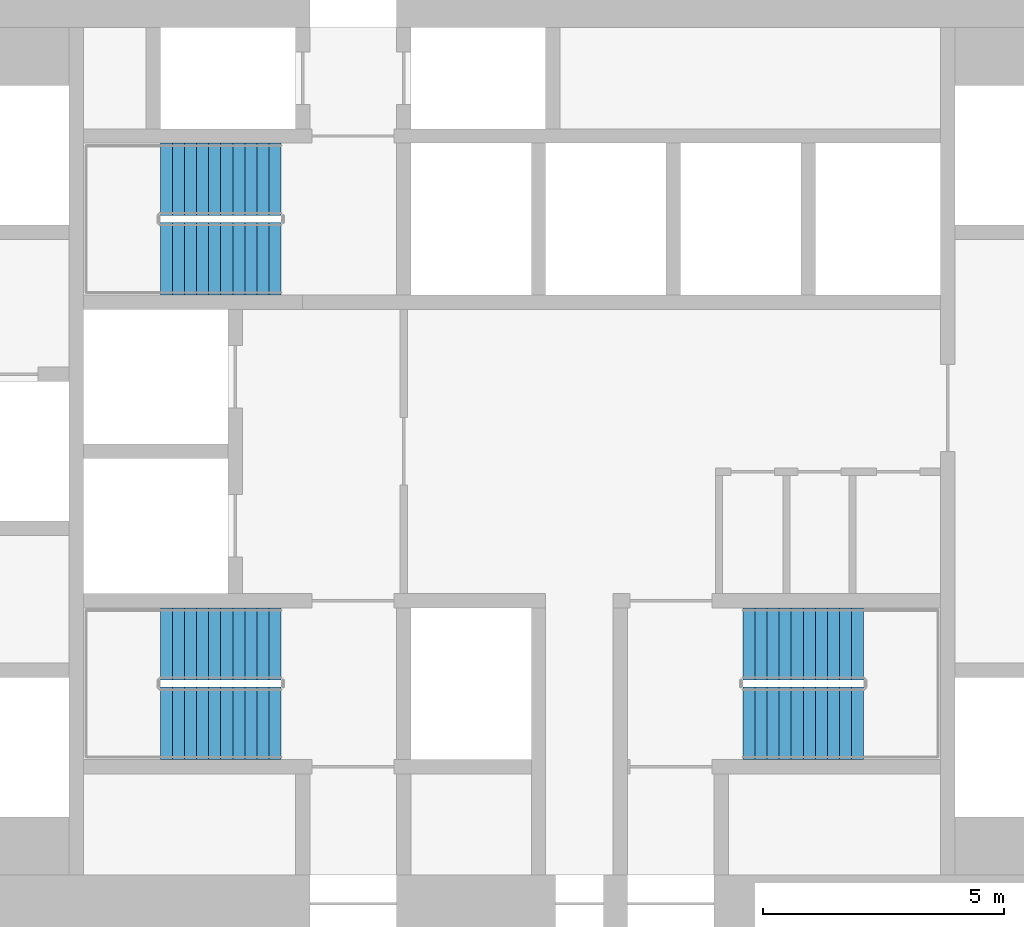
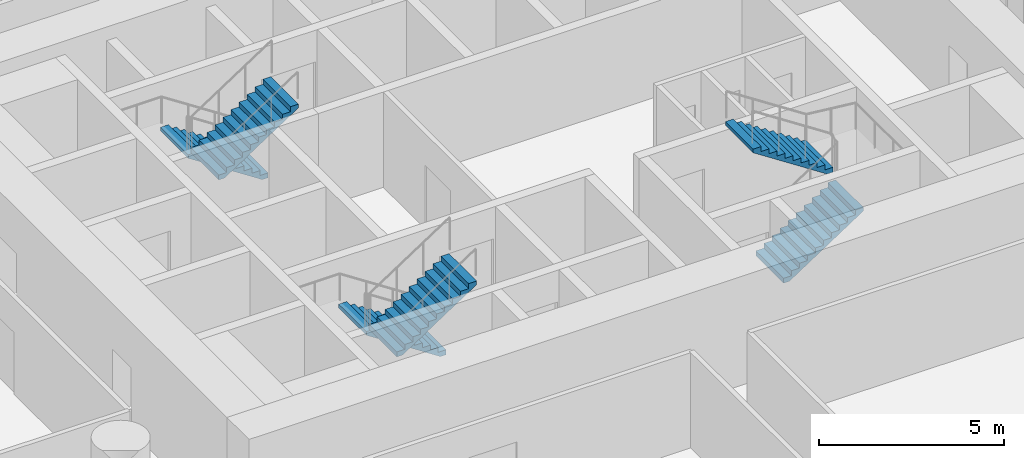
# One storey, part 10 of 11: 6 stair flights, 3 elements without a shape of their own.
"""IFC4 building model written with IfcOpenShell, lengths in metres."""

from ifc_helpers import new_model, si_unit, direction, frame, origin, place, context, subcontext, project, spatial, polyline, outline, extrude, material, type_object, element, aggregate, save


model = new_model("IFC4")

# Units and contexts
model_context = context("Model", 3, precision=1e-05, world=origin(), true_north=direction((0.0, 1.0)))
body_context = subcontext(model_context, "Body", "Model", "MODEL_VIEW")
ifc_project = project(units=[si_unit("LENGTHUNIT", "METRE"), si_unit("AREAUNIT", "SQUARE_METRE"), si_unit("VOLUMEUNIT", "CUBIC_METRE"), si_unit("PLANEANGLEUNIT", "RADIAN"), si_unit("MASSUNIT", "GRAM", prefix="KILO")], contexts=[model_context])

# Site, building, storey
site_placement = place(None, origin())
site = spatial("IfcSite", under=ifc_project, at=site_placement, CompositionType="ELEMENT")
building_placement = place(site_placement, origin())
building = spatial("IfcBuilding", under=site, at=building_placement, Name="Tracery Tower", CompositionType="ELEMENT")
storey_placement = place(building_placement, frame((0.0, 0.0, 60.60009765625)))
storey = spatial("IfcBuildingStorey", under=building, at=storey_placement, Name="L14", CompositionType="ELEMENT", Elevation=60.60009765625)

# Stair, stair flights
ifc_material_1 = material(Name="Concrete C32/40", Category="concrete")
stair_type = type_object("IfcStairType", Name="Core stair 22 risers", PredefinedType="HALF_TURN_STAIR", material=ifc_material_1)
stair_1_placement = place(storey_placement, origin())
stair_1 = element("IfcStair", 1, at=stair_1_placement, inside=storey, type_object=stair_type, Name="L14 stair ST1", PredefinedType="HALF_TURN_STAIR")
ifc_material_2 = material(Name="Concrete C32/40", Category="concrete")
stair_flight_type = type_object("IfcStairFlightType", Name="Core stair flight 11 risers", PredefinedType="STRAIGHT", material=ifc_material_2)
stair_flight_1_placement = place(storey_placement, frame((-4.800048828125, -4.0, 0.0), z_axis=(0.0, 0.0, 1.0), x_axis=(-1.0, 0.0, 0.0)))
stair_flight_1 = element("IfcStairFlight", 2, at=stair_flight_1_placement, type_object=stair_flight_type, Name="ST1 flight 1", NumberOfRisers=11, NumberOfTreads=10, PredefinedType="STRAIGHT", RiserHeight=0.163636364, TreadLength=0.25, context=body_context, shape_type="SweptSolid", body=[
    extrude(outline(polyline([(0.0, 0.0), (0.0, 0.002685546875), (0.0, 0.00537109375), (0.0, 0.008056640625), (0.0, 0.0107421875), (0.0, 0.013427734375), (0.0, 0.01611328125), (0.0, 0.018798828125), (0.0, 0.021484375), (0.0, 0.024169921875), (0.0, 0.02685546875), (0.0, 0.029541015625), (0.0, 0.0322265625), (0.0, 0.034912109375), (0.0, 0.03759765625), (0.0, 0.040283203125), (0.0, 0.04296875), (0.0, 0.045654296875), (0.0, 0.04833984375), (0.0, 0.051025390625), (0.0, 0.0537109375), (0.0, 0.056396484375), (0.0, 0.05908203125), (0.0, 0.061767578125), (0.0, 0.064453125), (0.0, 0.067138671875), (0.0, 0.06982421875), (0.0, 0.072509765625), (0.0, 0.0751953125), (0.0, 0.077880859375), (0.0, 0.08056640625), (0.0, 0.083251953125), (0.0, 0.0859375), (0.0, 0.088623046875), (0.0, 0.09130859375), (0.0, 0.093994140625), (0.0, 0.0966796875), (0.0, 0.099365234375), (0.0, 0.10205078125), (0.0, 0.104736328125), (0.0, 0.107421875), (0.0, 0.10986328125), (0.0, 0.112548828125), (0.0, 0.115234375), (0.0, 0.117919921875), (0.0, 0.12060546875), (0.0, 0.123291015625), (0.0, 0.1259765625), (0.0, 0.128662109375), (0.0, 0.13134765625), (0.0, 0.134033203125), (0.0, 0.13671875), (0.0, 0.139404296875), (0.0, 0.14208984375), (0.0, 0.144775390625), (0.0, 0.1474609375), (0.0, 0.150146484375), (0.0, 0.15283203125), (0.0, 0.155517578125), (0.0, 0.158203125), (0.0, 0.160888671875), (0.0, 0.16357421875), (0.25, 0.16357421875), (0.25, 0.327392578125), (0.5, 0.327392578125), (0.5, 0.490966796875), (0.75, 0.490966796875), (0.75, 0.654541015625), (1.0, 0.654541015625), (1.0, 0.818115234375), (1.25, 0.818115234375), (1.25, 0.98193359375), (1.5, 0.98193359375), (1.5, 1.1455078125), (1.75, 1.1455078125), (1.75, 1.30908203125), (2.0, 1.30908203125), (2.0, 1.47265625), (2.25, 1.47265625), (2.25, 1.636474609375), (2.5, 1.636474609375), (2.5, 1.634521484375), (2.5, 1.63232421875), (2.5, 1.63037109375), (2.5, 1.62841796875), (2.5, 1.62646484375), (2.5, 1.62451171875), (2.5, 1.62255859375), (2.5, 1.62060546875), (2.5, 1.61865234375), (2.5, 1.61669921875), (2.5, 1.61474609375), (2.5, 1.61279296875), (2.5, 1.61083984375), (2.5, 1.60888671875), (2.5, 1.60693359375), (2.5, 1.60498046875), (2.5, 1.60302734375), (2.5, 1.60107421875), (2.5, 1.59912109375), (2.5, 1.59716796875), (2.5, 1.59521484375), (2.5, 1.59326171875), (2.5, 1.59130859375), (2.5, 1.58935546875), (2.5, 1.58740234375), (2.5, 1.58544921875), (2.5, 1.58349609375), (2.5, 1.58154296875), (2.5, 1.57958984375), (2.5, 1.57763671875), (2.5, 1.57568359375), (2.5, 1.573486328125), (2.5, 1.571533203125), (2.5, 1.569580078125), (2.5, 1.567626953125), (2.5, 1.565673828125), (2.5, 1.563720703125), (2.5, 1.561767578125), (2.5, 1.559814453125), (2.5, 1.557861328125), (2.5, 1.555908203125), (2.5, 1.553955078125), (2.5, 1.552001953125), (2.5, 1.550048828125), (2.5, 1.548095703125), (2.5, 1.546142578125), (2.5, 1.544189453125), (2.5, 1.542236328125), (2.5, 1.540283203125), (2.5, 1.538330078125), (2.5, 1.536376953125), (2.5, 1.534423828125), (2.5, 1.532470703125), (2.5, 1.530517578125), (2.5, 1.528564453125), (2.5, 1.526611328125), (2.5, 1.524658203125), (2.5, 1.522705078125), (2.5, 1.520751953125), (2.5, 1.518798828125), (2.5, 1.516845703125), (0.182861328125, 0.0), (0.0, 0.0)])), frame((0.0, 0.75, 0.0), z_axis=(0.0, -1.0, 0.0), x_axis=(1.0, 0.0, 0.0)), (0.0, 0.0, 1.0), 1.5),
])
stair_flight_2_placement = place(storey_placement, frame((-7.300048828125, -5.64990234375, 1.7998046875), z_axis=(0.0, 0.0, 1.0), x_axis=(1.0, 0.0, 0.0)))
stair_flight_2 = element("IfcStairFlight", 3, at=stair_flight_2_placement, type_object=stair_flight_type, Name="ST1 flight 2", NumberOfRisers=11, NumberOfTreads=10, PredefinedType="STRAIGHT", RiserHeight=0.163636364, TreadLength=0.25, context=body_context, shape_type="SweptSolid", body=[
    extrude(outline(polyline([(0.0, 0.0), (0.0, 0.002685546875), (0.0, 0.00537109375), (0.0, 0.008056640625), (0.0, 0.0107421875), (0.0, 0.013427734375), (0.0, 0.01611328125), (0.0, 0.018798828125), (0.0, 0.021484375), (0.0, 0.024169921875), (0.0, 0.02685546875), (0.0, 0.029541015625), (0.0, 0.0322265625), (0.0, 0.034912109375), (0.0, 0.03759765625), (0.0, 0.040283203125), (0.0, 0.04296875), (0.0, 0.045654296875), (0.0, 0.04833984375), (0.0, 0.051025390625), (0.0, 0.0537109375), (0.0, 0.056396484375), (0.0, 0.05908203125), (0.0, 0.061767578125), (0.0, 0.064453125), (0.0, 0.067138671875), (0.0, 0.06982421875), (0.0, 0.072509765625), (0.0, 0.0751953125), (0.0, 0.077880859375), (0.0, 0.08056640625), (0.0, 0.083251953125), (0.0, 0.0859375), (0.0, 0.088623046875), (0.0, 0.09130859375), (0.0, 0.093994140625), (0.0, 0.0966796875), (0.0, 0.099365234375), (0.0, 0.10205078125), (0.0, 0.104736328125), (0.0, 0.107421875), (0.0, 0.10986328125), (0.0, 0.112548828125), (0.0, 0.115234375), (0.0, 0.117919921875), (0.0, 0.12060546875), (0.0, 0.123291015625), (0.0, 0.1259765625), (0.0, 0.128662109375), (0.0, 0.13134765625), (0.0, 0.134033203125), (0.0, 0.13671875), (0.0, 0.139404296875), (0.0, 0.14208984375), (0.0, 0.144775390625), (0.0, 0.1474609375), (0.0, 0.150146484375), (0.0, 0.15283203125), (0.0, 0.155517578125), (0.0, 0.158203125), (0.0, 0.160888671875), (0.0, 0.16357421875), (0.25, 0.16357421875), (0.25, 0.327392578125), (0.5, 0.327392578125), (0.5, 0.490966796875), (0.75, 0.490966796875), (0.75, 0.654541015625), (1.0, 0.654541015625), (1.0, 0.818115234375), (1.25, 0.818115234375), (1.25, 0.98193359375), (1.5, 0.98193359375), (1.5, 1.1455078125), (1.75, 1.1455078125), (1.75, 1.30908203125), (2.0, 1.30908203125), (2.0, 1.47265625), (2.25, 1.47265625), (2.25, 1.636474609375), (2.5, 1.636474609375), (2.5, 1.634521484375), (2.5, 1.63232421875), (2.5, 1.63037109375), (2.5, 1.62841796875), (2.5, 1.62646484375), (2.5, 1.62451171875), (2.5, 1.62255859375), (2.5, 1.62060546875), (2.5, 1.61865234375), (2.5, 1.61669921875), (2.5, 1.61474609375), (2.5, 1.61279296875), (2.5, 1.61083984375), (2.5, 1.60888671875), (2.5, 1.60693359375), (2.5, 1.60498046875), (2.5, 1.60302734375), (2.5, 1.60107421875), (2.5, 1.59912109375), (2.5, 1.59716796875), (2.5, 1.59521484375), (2.5, 1.59326171875), (2.5, 1.59130859375), (2.5, 1.58935546875), (2.5, 1.58740234375), (2.5, 1.58544921875), (2.5, 1.58349609375), (2.5, 1.58154296875), (2.5, 1.57958984375), (2.5, 1.57763671875), (2.5, 1.57568359375), (2.5, 1.573486328125), (2.5, 1.571533203125), (2.5, 1.569580078125), (2.5, 1.567626953125), (2.5, 1.565673828125), (2.5, 1.563720703125), (2.5, 1.561767578125), (2.5, 1.559814453125), (2.5, 1.557861328125), (2.5, 1.555908203125), (2.5, 1.553955078125), (2.5, 1.552001953125), (2.5, 1.550048828125), (2.5, 1.548095703125), (2.5, 1.546142578125), (2.5, 1.544189453125), (2.5, 1.542236328125), (2.5, 1.540283203125), (2.5, 1.538330078125), (2.5, 1.536376953125), (2.5, 1.534423828125), (2.5, 1.532470703125), (2.5, 1.530517578125), (2.5, 1.528564453125), (2.5, 1.526611328125), (2.5, 1.524658203125), (2.5, 1.522705078125), (2.5, 1.520751953125), (2.5, 1.518798828125), (2.5, 1.516845703125), (0.182861328125, 0.0), (0.0, 0.0)])), frame((0.0, 0.75, 0.0), z_axis=(0.0, -1.0, 0.0), x_axis=(1.0, 0.0, 0.0)), (0.0, 0.0, 1.0), 1.5),
])
aggregate(stair_1, [stair_flight_1, stair_flight_2])

stair_2_placement = place(storey_placement, origin())
stair_2 = element("IfcStair", 4, at=stair_2_placement, inside=storey, type_object=stair_type, Name="L14 stair ST3", PredefinedType="HALF_TURN_STAIR")
stair_flight_3_placement = place(storey_placement, frame((-4.800048828125, 5.64990234375, 0.0), z_axis=(0.0, 0.0, 1.0), x_axis=(-1.0, 0.0, 0.0)))
stair_flight_3 = element("IfcStairFlight", 5, at=stair_flight_3_placement, type_object=stair_flight_type, Name="ST3 flight 1", NumberOfRisers=11, NumberOfTreads=10, PredefinedType="STRAIGHT", RiserHeight=0.163636364, TreadLength=0.25, context=body_context, shape_type="SweptSolid", body=[
    extrude(outline(polyline([(0.0, 0.0), (0.0, 0.002685546875), (0.0, 0.00537109375), (0.0, 0.008056640625), (0.0, 0.0107421875), (0.0, 0.013427734375), (0.0, 0.01611328125), (0.0, 0.018798828125), (0.0, 0.021484375), (0.0, 0.024169921875), (0.0, 0.02685546875), (0.0, 0.029541015625), (0.0, 0.0322265625), (0.0, 0.034912109375), (0.0, 0.03759765625), (0.0, 0.040283203125), (0.0, 0.04296875), (0.0, 0.045654296875), (0.0, 0.04833984375), (0.0, 0.051025390625), (0.0, 0.0537109375), (0.0, 0.056396484375), (0.0, 0.05908203125), (0.0, 0.061767578125), (0.0, 0.064453125), (0.0, 0.067138671875), (0.0, 0.06982421875), (0.0, 0.072509765625), (0.0, 0.0751953125), (0.0, 0.077880859375), (0.0, 0.08056640625), (0.0, 0.083251953125), (0.0, 0.0859375), (0.0, 0.088623046875), (0.0, 0.09130859375), (0.0, 0.093994140625), (0.0, 0.0966796875), (0.0, 0.099365234375), (0.0, 0.10205078125), (0.0, 0.104736328125), (0.0, 0.107421875), (0.0, 0.10986328125), (0.0, 0.112548828125), (0.0, 0.115234375), (0.0, 0.117919921875), (0.0, 0.12060546875), (0.0, 0.123291015625), (0.0, 0.1259765625), (0.0, 0.128662109375), (0.0, 0.13134765625), (0.0, 0.134033203125), (0.0, 0.13671875), (0.0, 0.139404296875), (0.0, 0.14208984375), (0.0, 0.144775390625), (0.0, 0.1474609375), (0.0, 0.150146484375), (0.0, 0.15283203125), (0.0, 0.155517578125), (0.0, 0.158203125), (0.0, 0.160888671875), (0.0, 0.16357421875), (0.25, 0.16357421875), (0.25, 0.327392578125), (0.5, 0.327392578125), (0.5, 0.490966796875), (0.75, 0.490966796875), (0.75, 0.654541015625), (1.0, 0.654541015625), (1.0, 0.818115234375), (1.25, 0.818115234375), (1.25, 0.98193359375), (1.5, 0.98193359375), (1.5, 1.1455078125), (1.75, 1.1455078125), (1.75, 1.30908203125), (2.0, 1.30908203125), (2.0, 1.47265625), (2.25, 1.47265625), (2.25, 1.636474609375), (2.5, 1.636474609375), (2.5, 1.634521484375), (2.5, 1.63232421875), (2.5, 1.63037109375), (2.5, 1.62841796875), (2.5, 1.62646484375), (2.5, 1.62451171875), (2.5, 1.62255859375), (2.5, 1.62060546875), (2.5, 1.61865234375), (2.5, 1.61669921875), (2.5, 1.61474609375), (2.5, 1.61279296875), (2.5, 1.61083984375), (2.5, 1.60888671875), (2.5, 1.60693359375), (2.5, 1.60498046875), (2.5, 1.60302734375), (2.5, 1.60107421875), (2.5, 1.59912109375), (2.5, 1.59716796875), (2.5, 1.59521484375), (2.5, 1.59326171875), (2.5, 1.59130859375), (2.5, 1.58935546875), (2.5, 1.58740234375), (2.5, 1.58544921875), (2.5, 1.58349609375), (2.5, 1.58154296875), (2.5, 1.57958984375), (2.5, 1.57763671875), (2.5, 1.57568359375), (2.5, 1.573486328125), (2.5, 1.571533203125), (2.5, 1.569580078125), (2.5, 1.567626953125), (2.5, 1.565673828125), (2.5, 1.563720703125), (2.5, 1.561767578125), (2.5, 1.559814453125), (2.5, 1.557861328125), (2.5, 1.555908203125), (2.5, 1.553955078125), (2.5, 1.552001953125), (2.5, 1.550048828125), (2.5, 1.548095703125), (2.5, 1.546142578125), (2.5, 1.544189453125), (2.5, 1.542236328125), (2.5, 1.540283203125), (2.5, 1.538330078125), (2.5, 1.536376953125), (2.5, 1.534423828125), (2.5, 1.532470703125), (2.5, 1.530517578125), (2.5, 1.528564453125), (2.5, 1.526611328125), (2.5, 1.524658203125), (2.5, 1.522705078125), (2.5, 1.520751953125), (2.5, 1.518798828125), (2.5, 1.516845703125), (0.182861328125, 0.0), (0.0, 0.0)])), frame((0.0, 0.75, 0.0), z_axis=(0.0, -1.0, 0.0), x_axis=(1.0, 0.0, 0.0)), (0.0, 0.0, 1.0), 1.5),
])
stair_flight_4_placement = place(storey_placement, frame((-7.300048828125, 4.0, 1.7998046875), z_axis=(0.0, 0.0, 1.0), x_axis=(1.0, 0.0, 0.0)))
stair_flight_4 = element("IfcStairFlight", 6, at=stair_flight_4_placement, type_object=stair_flight_type, Name="ST3 flight 2", NumberOfRisers=11, NumberOfTreads=10, PredefinedType="STRAIGHT", RiserHeight=0.163636364, TreadLength=0.25, context=body_context, shape_type="SweptSolid", body=[
    extrude(outline(polyline([(0.0, 0.0), (0.0, 0.002685546875), (0.0, 0.00537109375), (0.0, 0.008056640625), (0.0, 0.0107421875), (0.0, 0.013427734375), (0.0, 0.01611328125), (0.0, 0.018798828125), (0.0, 0.021484375), (0.0, 0.024169921875), (0.0, 0.02685546875), (0.0, 0.029541015625), (0.0, 0.0322265625), (0.0, 0.034912109375), (0.0, 0.03759765625), (0.0, 0.040283203125), (0.0, 0.04296875), (0.0, 0.045654296875), (0.0, 0.04833984375), (0.0, 0.051025390625), (0.0, 0.0537109375), (0.0, 0.056396484375), (0.0, 0.05908203125), (0.0, 0.061767578125), (0.0, 0.064453125), (0.0, 0.067138671875), (0.0, 0.06982421875), (0.0, 0.072509765625), (0.0, 0.0751953125), (0.0, 0.077880859375), (0.0, 0.08056640625), (0.0, 0.083251953125), (0.0, 0.0859375), (0.0, 0.088623046875), (0.0, 0.09130859375), (0.0, 0.093994140625), (0.0, 0.0966796875), (0.0, 0.099365234375), (0.0, 0.10205078125), (0.0, 0.104736328125), (0.0, 0.107421875), (0.0, 0.10986328125), (0.0, 0.112548828125), (0.0, 0.115234375), (0.0, 0.117919921875), (0.0, 0.12060546875), (0.0, 0.123291015625), (0.0, 0.1259765625), (0.0, 0.128662109375), (0.0, 0.13134765625), (0.0, 0.134033203125), (0.0, 0.13671875), (0.0, 0.139404296875), (0.0, 0.14208984375), (0.0, 0.144775390625), (0.0, 0.1474609375), (0.0, 0.150146484375), (0.0, 0.15283203125), (0.0, 0.155517578125), (0.0, 0.158203125), (0.0, 0.160888671875), (0.0, 0.16357421875), (0.25, 0.16357421875), (0.25, 0.327392578125), (0.5, 0.327392578125), (0.5, 0.490966796875), (0.75, 0.490966796875), (0.75, 0.654541015625), (1.0, 0.654541015625), (1.0, 0.818115234375), (1.25, 0.818115234375), (1.25, 0.98193359375), (1.5, 0.98193359375), (1.5, 1.1455078125), (1.75, 1.1455078125), (1.75, 1.30908203125), (2.0, 1.30908203125), (2.0, 1.47265625), (2.25, 1.47265625), (2.25, 1.636474609375), (2.5, 1.636474609375), (2.5, 1.634521484375), (2.5, 1.63232421875), (2.5, 1.63037109375), (2.5, 1.62841796875), (2.5, 1.62646484375), (2.5, 1.62451171875), (2.5, 1.62255859375), (2.5, 1.62060546875), (2.5, 1.61865234375), (2.5, 1.61669921875), (2.5, 1.61474609375), (2.5, 1.61279296875), (2.5, 1.61083984375), (2.5, 1.60888671875), (2.5, 1.60693359375), (2.5, 1.60498046875), (2.5, 1.60302734375), (2.5, 1.60107421875), (2.5, 1.59912109375), (2.5, 1.59716796875), (2.5, 1.59521484375), (2.5, 1.59326171875), (2.5, 1.59130859375), (2.5, 1.58935546875), (2.5, 1.58740234375), (2.5, 1.58544921875), (2.5, 1.58349609375), (2.5, 1.58154296875), (2.5, 1.57958984375), (2.5, 1.57763671875), (2.5, 1.57568359375), (2.5, 1.573486328125), (2.5, 1.571533203125), (2.5, 1.569580078125), (2.5, 1.567626953125), (2.5, 1.565673828125), (2.5, 1.563720703125), (2.5, 1.561767578125), (2.5, 1.559814453125), (2.5, 1.557861328125), (2.5, 1.555908203125), (2.5, 1.553955078125), (2.5, 1.552001953125), (2.5, 1.550048828125), (2.5, 1.548095703125), (2.5, 1.546142578125), (2.5, 1.544189453125), (2.5, 1.542236328125), (2.5, 1.540283203125), (2.5, 1.538330078125), (2.5, 1.536376953125), (2.5, 1.534423828125), (2.5, 1.532470703125), (2.5, 1.530517578125), (2.5, 1.528564453125), (2.5, 1.526611328125), (2.5, 1.524658203125), (2.5, 1.522705078125), (2.5, 1.520751953125), (2.5, 1.518798828125), (2.5, 1.516845703125), (0.182861328125, 0.0), (0.0, 0.0)])), frame((0.0, 0.75, 0.0), z_axis=(0.0, -1.0, 0.0), x_axis=(1.0, 0.0, 0.0)), (0.0, 0.0, 1.0), 1.5),
])
aggregate(stair_2, [stair_flight_3, stair_flight_4])

stair_3_placement = place(storey_placement, origin())
stair_3 = element("IfcStair", 7, at=stair_3_placement, inside=storey, type_object=stair_type, Name="L14 stair ST2", PredefinedType="HALF_TURN_STAIR")
stair_flight_5_placement = place(storey_placement, frame((4.800048828125, -5.64990234375, 0.0), z_axis=(0.0, 0.0, 1.0), x_axis=(1.0, 0.0, 0.0)))
stair_flight_5 = element("IfcStairFlight", 8, at=stair_flight_5_placement, type_object=stair_flight_type, Name="ST2 flight 1", NumberOfRisers=11, NumberOfTreads=10, PredefinedType="STRAIGHT", RiserHeight=0.163636364, TreadLength=0.25, context=body_context, shape_type="SweptSolid", body=[
    extrude(outline(polyline([(0.0, 0.0), (0.0, 0.002685546875), (0.0, 0.00537109375), (0.0, 0.008056640625), (0.0, 0.0107421875), (0.0, 0.013427734375), (0.0, 0.01611328125), (0.0, 0.018798828125), (0.0, 0.021484375), (0.0, 0.024169921875), (0.0, 0.02685546875), (0.0, 0.029541015625), (0.0, 0.0322265625), (0.0, 0.034912109375), (0.0, 0.03759765625), (0.0, 0.040283203125), (0.0, 0.04296875), (0.0, 0.045654296875), (0.0, 0.04833984375), (0.0, 0.051025390625), (0.0, 0.0537109375), (0.0, 0.056396484375), (0.0, 0.05908203125), (0.0, 0.061767578125), (0.0, 0.064453125), (0.0, 0.067138671875), (0.0, 0.06982421875), (0.0, 0.072509765625), (0.0, 0.0751953125), (0.0, 0.077880859375), (0.0, 0.08056640625), (0.0, 0.083251953125), (0.0, 0.0859375), (0.0, 0.088623046875), (0.0, 0.09130859375), (0.0, 0.093994140625), (0.0, 0.0966796875), (0.0, 0.099365234375), (0.0, 0.10205078125), (0.0, 0.104736328125), (0.0, 0.107421875), (0.0, 0.10986328125), (0.0, 0.112548828125), (0.0, 0.115234375), (0.0, 0.117919921875), (0.0, 0.12060546875), (0.0, 0.123291015625), (0.0, 0.1259765625), (0.0, 0.128662109375), (0.0, 0.13134765625), (0.0, 0.134033203125), (0.0, 0.13671875), (0.0, 0.139404296875), (0.0, 0.14208984375), (0.0, 0.144775390625), (0.0, 0.1474609375), (0.0, 0.150146484375), (0.0, 0.15283203125), (0.0, 0.155517578125), (0.0, 0.158203125), (0.0, 0.160888671875), (0.0, 0.16357421875), (0.25, 0.16357421875), (0.25, 0.327392578125), (0.5, 0.327392578125), (0.5, 0.490966796875), (0.75, 0.490966796875), (0.75, 0.654541015625), (1.0, 0.654541015625), (1.0, 0.818115234375), (1.25, 0.818115234375), (1.25, 0.98193359375), (1.5, 0.98193359375), (1.5, 1.1455078125), (1.75, 1.1455078125), (1.75, 1.30908203125), (2.0, 1.30908203125), (2.0, 1.47265625), (2.25, 1.47265625), (2.25, 1.636474609375), (2.5, 1.636474609375), (2.5, 1.634521484375), (2.5, 1.63232421875), (2.5, 1.63037109375), (2.5, 1.62841796875), (2.5, 1.62646484375), (2.5, 1.62451171875), (2.5, 1.62255859375), (2.5, 1.62060546875), (2.5, 1.61865234375), (2.5, 1.61669921875), (2.5, 1.61474609375), (2.5, 1.61279296875), (2.5, 1.61083984375), (2.5, 1.60888671875), (2.5, 1.60693359375), (2.5, 1.60498046875), (2.5, 1.60302734375), (2.5, 1.60107421875), (2.5, 1.59912109375), (2.5, 1.59716796875), (2.5, 1.59521484375), (2.5, 1.59326171875), (2.5, 1.59130859375), (2.5, 1.58935546875), (2.5, 1.58740234375), (2.5, 1.58544921875), (2.5, 1.58349609375), (2.5, 1.58154296875), (2.5, 1.57958984375), (2.5, 1.57763671875), (2.5, 1.57568359375), (2.5, 1.573486328125), (2.5, 1.571533203125), (2.5, 1.569580078125), (2.5, 1.567626953125), (2.5, 1.565673828125), (2.5, 1.563720703125), (2.5, 1.561767578125), (2.5, 1.559814453125), (2.5, 1.557861328125), (2.5, 1.555908203125), (2.5, 1.553955078125), (2.5, 1.552001953125), (2.5, 1.550048828125), (2.5, 1.548095703125), (2.5, 1.546142578125), (2.5, 1.544189453125), (2.5, 1.542236328125), (2.5, 1.540283203125), (2.5, 1.538330078125), (2.5, 1.536376953125), (2.5, 1.534423828125), (2.5, 1.532470703125), (2.5, 1.530517578125), (2.5, 1.528564453125), (2.5, 1.526611328125), (2.5, 1.524658203125), (2.5, 1.522705078125), (2.5, 1.520751953125), (2.5, 1.518798828125), (2.5, 1.516845703125), (0.182861328125, 0.0), (0.0, 0.0)])), frame((0.0, 0.75, 0.0), z_axis=(0.0, -1.0, 0.0), x_axis=(1.0, 0.0, 0.0)), (0.0, 0.0, 1.0), 1.5),
])
stair_flight_6_placement = place(storey_placement, frame((7.300048828125, -4.0, 1.7998046875), z_axis=(0.0, 0.0, 1.0), x_axis=(-1.0, 0.0, 0.0)))
stair_flight_6 = element("IfcStairFlight", 9, at=stair_flight_6_placement, type_object=stair_flight_type, Name="ST2 flight 2", NumberOfRisers=11, NumberOfTreads=10, PredefinedType="STRAIGHT", RiserHeight=0.163636364, TreadLength=0.25, context=body_context, shape_type="SweptSolid", body=[
    extrude(outline(polyline([(0.0, 0.0), (0.0, 0.002685546875), (0.0, 0.00537109375), (0.0, 0.008056640625), (0.0, 0.0107421875), (0.0, 0.013427734375), (0.0, 0.01611328125), (0.0, 0.018798828125), (0.0, 0.021484375), (0.0, 0.024169921875), (0.0, 0.02685546875), (0.0, 0.029541015625), (0.0, 0.0322265625), (0.0, 0.034912109375), (0.0, 0.03759765625), (0.0, 0.040283203125), (0.0, 0.04296875), (0.0, 0.045654296875), (0.0, 0.04833984375), (0.0, 0.051025390625), (0.0, 0.0537109375), (0.0, 0.056396484375), (0.0, 0.05908203125), (0.0, 0.061767578125), (0.0, 0.064453125), (0.0, 0.067138671875), (0.0, 0.06982421875), (0.0, 0.072509765625), (0.0, 0.0751953125), (0.0, 0.077880859375), (0.0, 0.08056640625), (0.0, 0.083251953125), (0.0, 0.0859375), (0.0, 0.088623046875), (0.0, 0.09130859375), (0.0, 0.093994140625), (0.0, 0.0966796875), (0.0, 0.099365234375), (0.0, 0.10205078125), (0.0, 0.104736328125), (0.0, 0.107421875), (0.0, 0.10986328125), (0.0, 0.112548828125), (0.0, 0.115234375), (0.0, 0.117919921875), (0.0, 0.12060546875), (0.0, 0.123291015625), (0.0, 0.1259765625), (0.0, 0.128662109375), (0.0, 0.13134765625), (0.0, 0.134033203125), (0.0, 0.13671875), (0.0, 0.139404296875), (0.0, 0.14208984375), (0.0, 0.144775390625), (0.0, 0.1474609375), (0.0, 0.150146484375), (0.0, 0.15283203125), (0.0, 0.155517578125), (0.0, 0.158203125), (0.0, 0.160888671875), (0.0, 0.16357421875), (0.25, 0.16357421875), (0.25, 0.327392578125), (0.5, 0.327392578125), (0.5, 0.490966796875), (0.75, 0.490966796875), (0.75, 0.654541015625), (1.0, 0.654541015625), (1.0, 0.818115234375), (1.25, 0.818115234375), (1.25, 0.98193359375), (1.5, 0.98193359375), (1.5, 1.1455078125), (1.75, 1.1455078125), (1.75, 1.30908203125), (2.0, 1.30908203125), (2.0, 1.47265625), (2.25, 1.47265625), (2.25, 1.636474609375), (2.5, 1.636474609375), (2.5, 1.634521484375), (2.5, 1.63232421875), (2.5, 1.63037109375), (2.5, 1.62841796875), (2.5, 1.62646484375), (2.5, 1.62451171875), (2.5, 1.62255859375), (2.5, 1.62060546875), (2.5, 1.61865234375), (2.5, 1.61669921875), (2.5, 1.61474609375), (2.5, 1.61279296875), (2.5, 1.61083984375), (2.5, 1.60888671875), (2.5, 1.60693359375), (2.5, 1.60498046875), (2.5, 1.60302734375), (2.5, 1.60107421875), (2.5, 1.59912109375), (2.5, 1.59716796875), (2.5, 1.59521484375), (2.5, 1.59326171875), (2.5, 1.59130859375), (2.5, 1.58935546875), (2.5, 1.58740234375), (2.5, 1.58544921875), (2.5, 1.58349609375), (2.5, 1.58154296875), (2.5, 1.57958984375), (2.5, 1.57763671875), (2.5, 1.57568359375), (2.5, 1.573486328125), (2.5, 1.571533203125), (2.5, 1.569580078125), (2.5, 1.567626953125), (2.5, 1.565673828125), (2.5, 1.563720703125), (2.5, 1.561767578125), (2.5, 1.559814453125), (2.5, 1.557861328125), (2.5, 1.555908203125), (2.5, 1.553955078125), (2.5, 1.552001953125), (2.5, 1.550048828125), (2.5, 1.548095703125), (2.5, 1.546142578125), (2.5, 1.544189453125), (2.5, 1.542236328125), (2.5, 1.540283203125), (2.5, 1.538330078125), (2.5, 1.536376953125), (2.5, 1.534423828125), (2.5, 1.532470703125), (2.5, 1.530517578125), (2.5, 1.528564453125), (2.5, 1.526611328125), (2.5, 1.524658203125), (2.5, 1.522705078125), (2.5, 1.520751953125), (2.5, 1.518798828125), (2.5, 1.516845703125), (0.182861328125, 0.0), (0.0, 0.0)])), frame((0.0, 0.75, 0.0), z_axis=(0.0, -1.0, 0.0), x_axis=(1.0, 0.0, 0.0)), (0.0, 0.0, 1.0), 1.5),
])
aggregate(stair_3, [stair_flight_5, stair_flight_6])

save(model, "model.ifc")
